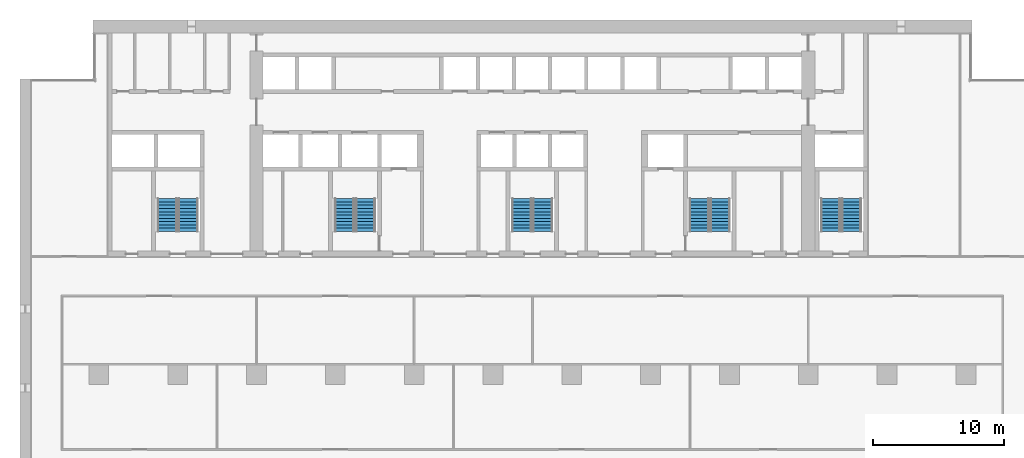
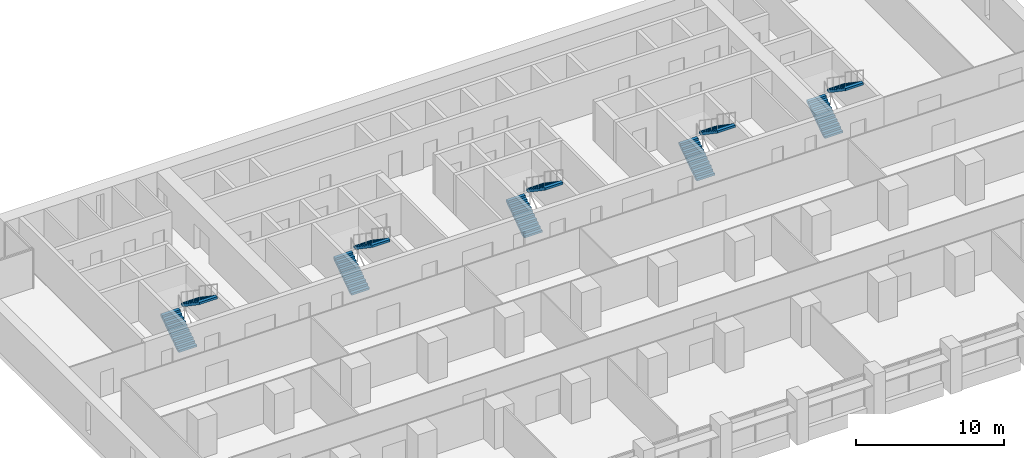
# One storey, part 14 of 18: 10 stair flights, 5 elements without a shape of their own.
"""IFC4 building model written with IfcOpenShell, lengths in metres."""

from ifc_helpers import new_model, si_unit, direction, frame, origin, place, context, subcontext, project, spatial, polyline, outline, extrude, material, type_object, element, aggregate, save


model = new_model("IFC4")

# Units and contexts
model_context = context("Model", 3, precision=1e-05, world=origin(), true_north=direction((0.0, 1.0)))
body_context = subcontext(model_context, "Body", "Model", "MODEL_VIEW")
ifc_project = project(units=[si_unit("LENGTHUNIT", "METRE"), si_unit("AREAUNIT", "SQUARE_METRE"), si_unit("VOLUMEUNIT", "CUBIC_METRE"), si_unit("PLANEANGLEUNIT", "RADIAN"), si_unit("MASSUNIT", "GRAM", prefix="KILO")], contexts=[model_context])

# Site, building, storey
site_placement = place(None, origin())
site = spatial("IfcSite", under=ifc_project, at=site_placement, CompositionType="ELEMENT")
building_placement = place(site_placement, origin())
building = spatial("IfcBuilding", under=site, at=building_placement, Name="Calvaro Tower", CompositionType="ELEMENT")
storey_placement = place(building_placement, frame((0.0, 0.0, 82.5)))
storey = spatial("IfcBuildingStorey", under=building, at=storey_placement, Name="L20", CompositionType="ELEMENT", Elevation=82.5)

# Stair, stair flights
ifc_material_1 = material(Name="Concrete C40/50", Category="concrete")
stair_type = type_object("IfcStairType", Name="Exit stair 1400 2 flights", PredefinedType="HALF_TURN_STAIR", material=ifc_material_1)
stair_1_placement = place(storey_placement, origin())
stair_1 = element("IfcStair", 1, at=stair_1_placement, inside=storey, type_object=stair_type, Name="Exit stair S1", PredefinedType="HALF_TURN_STAIR")
ifc_material_2 = material(Name="Concrete C40/50", Category="concrete")
stair_flight_type = type_object("IfcStairFlightType", Name="Stair flight", PredefinedType="STRAIGHT", material=ifc_material_2)
stair_flight_1_placement = place(storey_placement, frame((11.199951171875, 29.89990234375, 0.0), z_axis=(0.0, 0.0, 1.0), x_axis=(0.0, 1.0, 0.0)))
stair_flight_1 = element("IfcStairFlight", 2, at=stair_flight_1_placement, type_object=stair_flight_type, Name="Exit stair 1, flight 1", NumberOfRisers=11, NumberOfTreads=10, PredefinedType="STRAIGHT", RiserHeight=0.170454545, TreadLength=0.25, context=body_context, shape_type="SweptSolid", body=[
    extrude(outline(polyline([(0.0, 0.0), (0.0, 0.17041015625), (0.25, 0.17041015625), (0.25, 0.3408203125), (0.5, 0.3408203125), (0.5, 0.511474609375), (0.75, 0.511474609375), (0.75, 0.681884765625), (1.0, 0.681884765625), (1.0, 0.852294921875), (1.25, 0.852294921875), (1.25, 1.022705078125), (1.5, 1.022705078125), (1.5, 1.193115234375), (1.75, 1.193115234375), (1.75, 1.363525390625), (2.0, 1.363525390625), (2.0, 1.5341796875), (2.25, 1.5341796875), (2.25, 1.70458984375), (2.5, 1.70458984375), (2.5, 1.875), (2.5, 1.523193359375), (0.26611328125, 0.0), (0.0, 0.0)])), frame((0.0, 0.699951171875, 0.0), z_axis=(0.0, -1.0, 0.0), x_axis=(1.0, 0.0, 0.0)), (0.0, 0.0, 1.0), 1.39990234375),
])
stair_flight_2_placement = place(storey_placement, frame((12.800048828125, 32.39990234375, 1.875), z_axis=(0.0, 0.0, 1.0), x_axis=(0.0, -1.0, 0.0)))
stair_flight_2 = element("IfcStairFlight", 3, at=stair_flight_2_placement, type_object=stair_flight_type, Name="Exit stair 1, flight 2", NumberOfRisers=11, NumberOfTreads=10, PredefinedType="STRAIGHT", RiserHeight=0.170454545, TreadLength=0.25, context=body_context, shape_type="SweptSolid", body=[
    extrude(outline(polyline([(0.0, 0.0), (0.0, 0.17041015625), (0.25, 0.17041015625), (0.25, 0.3408203125), (0.5, 0.3408203125), (0.5, 0.511474609375), (0.75, 0.511474609375), (0.75, 0.681884765625), (1.0, 0.681884765625), (1.0, 0.852294921875), (1.25, 0.852294921875), (1.25, 1.022705078125), (1.5, 1.022705078125), (1.5, 1.193115234375), (1.75, 1.193115234375), (1.75, 1.363525390625), (2.0, 1.363525390625), (2.0, 1.5341796875), (2.25, 1.5341796875), (2.25, 1.70458984375), (2.5, 1.70458984375), (2.5, 1.875), (2.5, 1.523193359375), (0.26611328125, 0.0), (0.0, 0.0)])), frame((0.0, 0.699951171875, 0.0), z_axis=(0.0, -1.0, 0.0), x_axis=(1.0, 0.0, 0.0)), (0.0, 0.0, 1.0), 1.39990234375),
])
aggregate(stair_1, [stair_flight_1, stair_flight_2])

stair_2_placement = place(storey_placement, origin())
stair_2 = element("IfcStair", 4, at=stair_2_placement, inside=storey, type_object=stair_type, Name="Exit stair S2", PredefinedType="HALF_TURN_STAIR")
stair_flight_3_placement = place(storey_placement, frame((24.699951171875, 29.89990234375, 0.0), z_axis=(0.0, 0.0, 1.0), x_axis=(0.0, 1.0, 0.0)))
stair_flight_3 = element("IfcStairFlight", 5, at=stair_flight_3_placement, type_object=stair_flight_type, Name="Exit stair 2, flight 1", NumberOfRisers=11, NumberOfTreads=10, PredefinedType="STRAIGHT", RiserHeight=0.170454545, TreadLength=0.25, context=body_context, shape_type="SweptSolid", body=[
    extrude(outline(polyline([(0.0, 0.0), (0.0, 0.17041015625), (0.25, 0.17041015625), (0.25, 0.3408203125), (0.5, 0.3408203125), (0.5, 0.511474609375), (0.75, 0.511474609375), (0.75, 0.681884765625), (1.0, 0.681884765625), (1.0, 0.852294921875), (1.25, 0.852294921875), (1.25, 1.022705078125), (1.5, 1.022705078125), (1.5, 1.193115234375), (1.75, 1.193115234375), (1.75, 1.363525390625), (2.0, 1.363525390625), (2.0, 1.5341796875), (2.25, 1.5341796875), (2.25, 1.70458984375), (2.5, 1.70458984375), (2.5, 1.875), (2.5, 1.523193359375), (0.26611328125, 0.0), (0.0, 0.0)])), frame((0.0, 0.699951171875, 0.0), z_axis=(0.0, -1.0, 0.0), x_axis=(1.0, 0.0, 0.0)), (0.0, 0.0, 1.0), 1.39990234375),
])
stair_flight_4_placement = place(storey_placement, frame((26.300048828125, 32.39990234375, 1.875), z_axis=(0.0, 0.0, 1.0), x_axis=(0.0, -1.0, 0.0)))
stair_flight_4 = element("IfcStairFlight", 6, at=stair_flight_4_placement, type_object=stair_flight_type, Name="Exit stair 2, flight 2", NumberOfRisers=11, NumberOfTreads=10, PredefinedType="STRAIGHT", RiserHeight=0.170454545, TreadLength=0.25, context=body_context, shape_type="SweptSolid", body=[
    extrude(outline(polyline([(0.0, 0.0), (0.0, 0.17041015625), (0.25, 0.17041015625), (0.25, 0.3408203125), (0.5, 0.3408203125), (0.5, 0.511474609375), (0.75, 0.511474609375), (0.75, 0.681884765625), (1.0, 0.681884765625), (1.0, 0.852294921875), (1.25, 0.852294921875), (1.25, 1.022705078125), (1.5, 1.022705078125), (1.5, 1.193115234375), (1.75, 1.193115234375), (1.75, 1.363525390625), (2.0, 1.363525390625), (2.0, 1.5341796875), (2.25, 1.5341796875), (2.25, 1.70458984375), (2.5, 1.70458984375), (2.5, 1.875), (2.5, 1.523193359375), (0.26611328125, 0.0), (0.0, 0.0)])), frame((0.0, 0.699951171875, 0.0), z_axis=(0.0, -1.0, 0.0), x_axis=(1.0, 0.0, 0.0)), (0.0, 0.0, 1.0), 1.39990234375),
])
aggregate(stair_2, [stair_flight_3, stair_flight_4])

stair_3_placement = place(storey_placement, origin())
stair_3 = element("IfcStair", 7, at=stair_3_placement, inside=storey, type_object=stair_type, Name="Exit stair S3", PredefinedType="HALF_TURN_STAIR")
stair_flight_5_placement = place(storey_placement, frame((38.199951171875, 29.89990234375, 0.0), z_axis=(0.0, 0.0, 1.0), x_axis=(0.0, 1.0, 0.0)))
stair_flight_5 = element("IfcStairFlight", 8, at=stair_flight_5_placement, type_object=stair_flight_type, Name="Exit stair 3, flight 1", NumberOfRisers=11, NumberOfTreads=10, PredefinedType="STRAIGHT", RiserHeight=0.170454545, TreadLength=0.25, context=body_context, shape_type="SweptSolid", body=[
    extrude(outline(polyline([(0.0, 0.0), (0.0, 0.17041015625), (0.25, 0.17041015625), (0.25, 0.3408203125), (0.5, 0.3408203125), (0.5, 0.511474609375), (0.75, 0.511474609375), (0.75, 0.681884765625), (1.0, 0.681884765625), (1.0, 0.852294921875), (1.25, 0.852294921875), (1.25, 1.022705078125), (1.5, 1.022705078125), (1.5, 1.193115234375), (1.75, 1.193115234375), (1.75, 1.363525390625), (2.0, 1.363525390625), (2.0, 1.5341796875), (2.25, 1.5341796875), (2.25, 1.70458984375), (2.5, 1.70458984375), (2.5, 1.875), (2.5, 1.523193359375), (0.26611328125, 0.0), (0.0, 0.0)])), frame((0.0, 0.699951171875, 0.0), z_axis=(0.0, -1.0, 0.0), x_axis=(1.0, 0.0, 0.0)), (0.0, 0.0, 1.0), 1.39990234375),
])
stair_flight_6_placement = place(storey_placement, frame((39.800048828125, 32.39990234375, 1.875), z_axis=(0.0, 0.0, 1.0), x_axis=(0.0, -1.0, 0.0)))
stair_flight_6 = element("IfcStairFlight", 9, at=stair_flight_6_placement, type_object=stair_flight_type, Name="Exit stair 3, flight 2", NumberOfRisers=11, NumberOfTreads=10, PredefinedType="STRAIGHT", RiserHeight=0.170454545, TreadLength=0.25, context=body_context, shape_type="SweptSolid", body=[
    extrude(outline(polyline([(0.0, 0.0), (0.0, 0.17041015625), (0.25, 0.17041015625), (0.25, 0.3408203125), (0.5, 0.3408203125), (0.5, 0.511474609375), (0.75, 0.511474609375), (0.75, 0.681884765625), (1.0, 0.681884765625), (1.0, 0.852294921875), (1.25, 0.852294921875), (1.25, 1.022705078125), (1.5, 1.022705078125), (1.5, 1.193115234375), (1.75, 1.193115234375), (1.75, 1.363525390625), (2.0, 1.363525390625), (2.0, 1.5341796875), (2.25, 1.5341796875), (2.25, 1.70458984375), (2.5, 1.70458984375), (2.5, 1.875), (2.5, 1.523193359375), (0.26611328125, 0.0), (0.0, 0.0)])), frame((0.0, 0.699951171875, 0.0), z_axis=(0.0, -1.0, 0.0), x_axis=(1.0, 0.0, 0.0)), (0.0, 0.0, 1.0), 1.39990234375),
])
aggregate(stair_3, [stair_flight_5, stair_flight_6])

stair_4_placement = place(storey_placement, origin())
stair_4 = element("IfcStair", 10, at=stair_4_placement, inside=storey, type_object=stair_type, Name="Exit stair S4", PredefinedType="HALF_TURN_STAIR")
stair_flight_7_placement = place(storey_placement, frame((51.699951171875, 29.89990234375, 0.0), z_axis=(0.0, 0.0, 1.0), x_axis=(0.0, 1.0, 0.0)))
stair_flight_7 = element("IfcStairFlight", 11, at=stair_flight_7_placement, type_object=stair_flight_type, Name="Exit stair 4, flight 1", NumberOfRisers=11, NumberOfTreads=10, PredefinedType="STRAIGHT", RiserHeight=0.170454545, TreadLength=0.25, context=body_context, shape_type="SweptSolid", body=[
    extrude(outline(polyline([(0.0, 0.0), (0.0, 0.17041015625), (0.25, 0.17041015625), (0.25, 0.3408203125), (0.5, 0.3408203125), (0.5, 0.511474609375), (0.75, 0.511474609375), (0.75, 0.681884765625), (1.0, 0.681884765625), (1.0, 0.852294921875), (1.25, 0.852294921875), (1.25, 1.022705078125), (1.5, 1.022705078125), (1.5, 1.193115234375), (1.75, 1.193115234375), (1.75, 1.363525390625), (2.0, 1.363525390625), (2.0, 1.5341796875), (2.25, 1.5341796875), (2.25, 1.70458984375), (2.5, 1.70458984375), (2.5, 1.875), (2.5, 1.523193359375), (0.26611328125, 0.0), (0.0, 0.0)])), frame((0.0, 0.699951171875, 0.0), z_axis=(0.0, -1.0, 0.0), x_axis=(1.0, 0.0, 0.0)), (0.0, 0.0, 1.0), 1.39990234375),
])
stair_flight_8_placement = place(storey_placement, frame((53.300048828125, 32.39990234375, 1.875), z_axis=(0.0, 0.0, 1.0), x_axis=(0.0, -1.0, 0.0)))
stair_flight_8 = element("IfcStairFlight", 12, at=stair_flight_8_placement, type_object=stair_flight_type, Name="Exit stair 4, flight 2", NumberOfRisers=11, NumberOfTreads=10, PredefinedType="STRAIGHT", RiserHeight=0.170454545, TreadLength=0.25, context=body_context, shape_type="SweptSolid", body=[
    extrude(outline(polyline([(0.0, 0.0), (0.0, 0.17041015625), (0.25, 0.17041015625), (0.25, 0.3408203125), (0.5, 0.3408203125), (0.5, 0.511474609375), (0.75, 0.511474609375), (0.75, 0.681884765625), (1.0, 0.681884765625), (1.0, 0.852294921875), (1.25, 0.852294921875), (1.25, 1.022705078125), (1.5, 1.022705078125), (1.5, 1.193115234375), (1.75, 1.193115234375), (1.75, 1.363525390625), (2.0, 1.363525390625), (2.0, 1.5341796875), (2.25, 1.5341796875), (2.25, 1.70458984375), (2.5, 1.70458984375), (2.5, 1.875), (2.5, 1.523193359375), (0.26611328125, 0.0), (0.0, 0.0)])), frame((0.0, 0.699951171875, 0.0), z_axis=(0.0, -1.0, 0.0), x_axis=(1.0, 0.0, 0.0)), (0.0, 0.0, 1.0), 1.39990234375),
])
aggregate(stair_4, [stair_flight_7, stair_flight_8])

stair_5_placement = place(storey_placement, origin())
stair_5 = element("IfcStair", 13, at=stair_5_placement, inside=storey, type_object=stair_type, Name="Exit stair S5", PredefinedType="HALF_TURN_STAIR")
stair_flight_9_placement = place(storey_placement, frame((61.699951171875, 29.89990234375, 0.0), z_axis=(0.0, 0.0, 1.0), x_axis=(0.0, 1.0, 0.0)))
stair_flight_9 = element("IfcStairFlight", 14, at=stair_flight_9_placement, type_object=stair_flight_type, Name="Exit stair 5, flight 1", NumberOfRisers=11, NumberOfTreads=10, PredefinedType="STRAIGHT", RiserHeight=0.170454545, TreadLength=0.25, context=body_context, shape_type="SweptSolid", body=[
    extrude(outline(polyline([(0.0, 0.0), (0.0, 0.17041015625), (0.25, 0.17041015625), (0.25, 0.3408203125), (0.5, 0.3408203125), (0.5, 0.511474609375), (0.75, 0.511474609375), (0.75, 0.681884765625), (1.0, 0.681884765625), (1.0, 0.852294921875), (1.25, 0.852294921875), (1.25, 1.022705078125), (1.5, 1.022705078125), (1.5, 1.193115234375), (1.75, 1.193115234375), (1.75, 1.363525390625), (2.0, 1.363525390625), (2.0, 1.5341796875), (2.25, 1.5341796875), (2.25, 1.70458984375), (2.5, 1.70458984375), (2.5, 1.875), (2.5, 1.523193359375), (0.26611328125, 0.0), (0.0, 0.0)])), frame((0.0, 0.699951171875, 0.0), z_axis=(0.0, -1.0, 0.0), x_axis=(1.0, 0.0, 0.0)), (0.0, 0.0, 1.0), 1.39990234375),
])
stair_flight_10_placement = place(storey_placement, frame((63.300048828125, 32.39990234375, 1.875), z_axis=(0.0, 0.0, 1.0), x_axis=(0.0, -1.0, 0.0)))
stair_flight_10 = element("IfcStairFlight", 15, at=stair_flight_10_placement, type_object=stair_flight_type, Name="Exit stair 5, flight 2", NumberOfRisers=11, NumberOfTreads=10, PredefinedType="STRAIGHT", RiserHeight=0.170454545, TreadLength=0.25, context=body_context, shape_type="SweptSolid", body=[
    extrude(outline(polyline([(0.0, 0.0), (0.0, 0.17041015625), (0.25, 0.17041015625), (0.25, 0.3408203125), (0.5, 0.3408203125), (0.5, 0.511474609375), (0.75, 0.511474609375), (0.75, 0.681884765625), (1.0, 0.681884765625), (1.0, 0.852294921875), (1.25, 0.852294921875), (1.25, 1.022705078125), (1.5, 1.022705078125), (1.5, 1.193115234375), (1.75, 1.193115234375), (1.75, 1.363525390625), (2.0, 1.363525390625), (2.0, 1.5341796875), (2.25, 1.5341796875), (2.25, 1.70458984375), (2.5, 1.70458984375), (2.5, 1.875), (2.5, 1.523193359375), (0.26611328125, 0.0), (0.0, 0.0)])), frame((0.0, 0.699951171875, 0.0), z_axis=(0.0, -1.0, 0.0), x_axis=(1.0, 0.0, 0.0)), (0.0, 0.0, 1.0), 1.39990234375),
])
aggregate(stair_5, [stair_flight_9, stair_flight_10])

save(model, "model.ifc")
